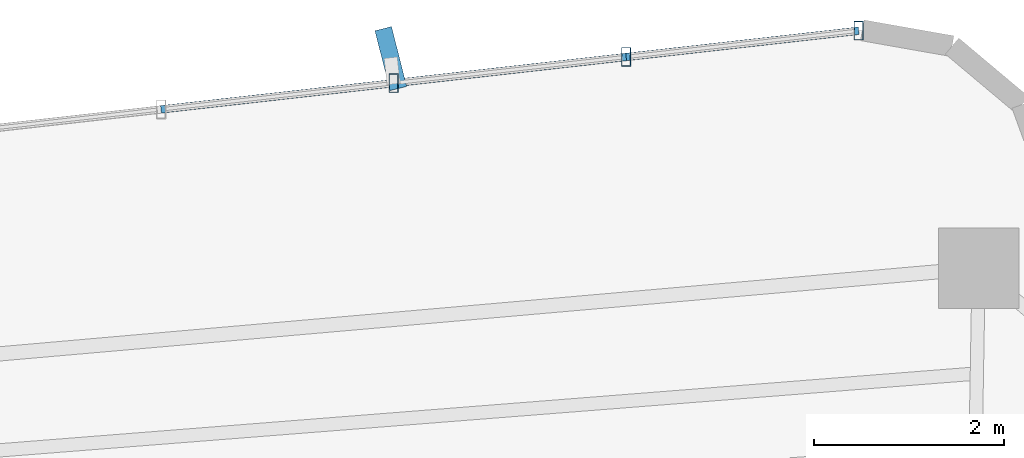
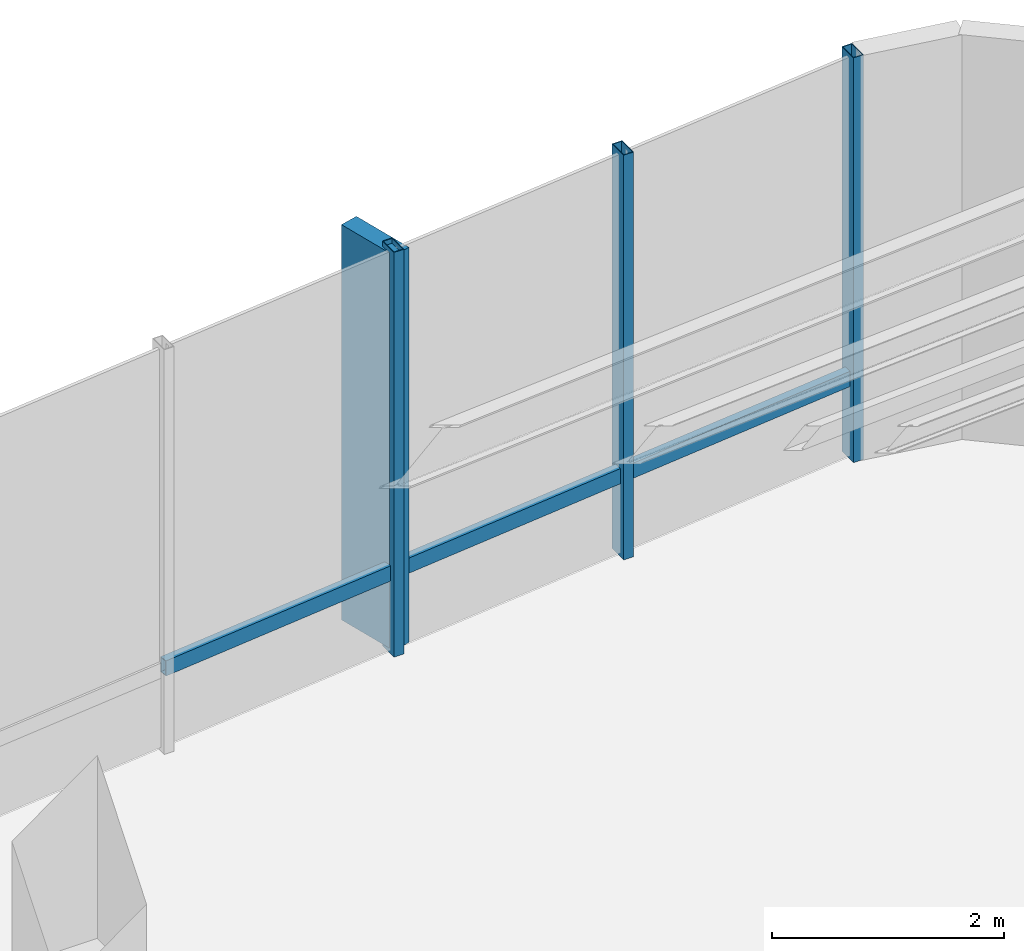
# One storey, part 12 of 19: 7 members, 1 element without a shape of its own.
"""IFC4 building model written with IfcOpenShell, lengths in metres."""

from ifc_helpers import new_model, si_unit, direction, frame, origin, origin_2d, place, context, subcontext, project, spatial, rectangle, hollow_rectangle, extrude, source, transform, mapped, material, material_profile, profile_set, type_object, element, aggregate, save


model = new_model("IFC4")

# Units and contexts
model_context = context("Model", 3, precision=1e-05, world=origin(), true_north=direction((0.0, 1.0)))
body_context = subcontext(model_context, "Body", "Model", "MODEL_VIEW")
ifc_project = project(units=[si_unit("LENGTHUNIT", "METRE"), si_unit("AREAUNIT", "SQUARE_METRE"), si_unit("VOLUMEUNIT", "CUBIC_METRE"), si_unit("PLANEANGLEUNIT", "RADIAN"), si_unit("MASSUNIT", "GRAM", prefix="KILO")], contexts=[model_context])

# Site, building, storey
site_placement = place(None, origin())
site = spatial("IfcSite", under=ifc_project, at=site_placement, CompositionType="ELEMENT")
building_placement = place(site_placement, origin())
building = spatial("IfcBuilding", under=site, at=building_placement, Name="Sahyath Konkavel Grand Hotel", CompositionType="ELEMENT")
storey_placement = place(building_placement, frame((0.0, 0.0, 170.699951171875)))
storey = spatial("IfcBuildingStorey", under=building, at=storey_placement, Name="L47", CompositionType="ELEMENT", Elevation=170.699951171875)

# Curtain wall, members
ifc_material_1 = material(Name="Anodised Bronze Aluminium & Low-E Glazing", Category="aluminium")
curtain_wall_type = type_object("IfcCurtainWallType", Name="CW-SKYLOBBY", PredefinedType="NOTDEFINED", material=ifc_material_1)
curtain_wall_placement = place(storey_placement, origin())
curtain_wall = element("IfcCurtainWall", 1, at=curtain_wall_placement, inside=storey, type_object=curtain_wall_type, Name="L47 Unitised Curtain Wall F12", PredefinedType="NOTDEFINED")
ifc_material_2 = material(Name="Anodised Bronze Aluminium", Category="aluminium")
ifc_material_profile_1 = material_profile(ifc_material_2, hollow_rectangle(XDim=0.10009765625, YDim=0.199951171875, WallThickness=0.008056640625, at=origin_2d()), Name="RHS 200x100x8")
ifc_profile_set_1 = profile_set([ifc_material_profile_1], Name="Anodised Bronze Aluminium")
member_type_1 = type_object("IfcMemberType", Name="CW-MUL-200", PredefinedType="MULLION", material=ifc_profile_set_1)
shared_shape_1 = source(origin(), body_context, "Body", "SweptSolid", [
    extrude(hollow_rectangle(XDim=0.10009765625, YDim=0.199951171875, WallThickness=0.008056640625, at=origin_2d()), origin(), (0.0, 0.0, 1.0), 4.260009765625),
])
member_1_placement = place(storey_placement, frame((2.673828125, 20.610595703125, 0.0), z_axis=(0.0, 0.0, 1.0), x_axis=(1.0, 0.0, 0.0)))
member_1 = element("IfcMember", 2, at=member_1_placement, type_object=member_type_1, Name="L47 Curtain Wall Mullion F12-0", PredefinedType="MULLION", context=body_context, shape_type="MappedRepresentation", body=[
    mapped(shared_shape_1, transform((0.0, 0.0, 0.0), scale=1.0)),
])
member_2_placement = place(storey_placement, frame((0.227294921875, 20.334716796875, 0.0), z_axis=(0.0, 0.0, 1.0), x_axis=(1.0, 0.0, 0.0)))
member_2 = element("IfcMember", 3, at=member_2_placement, type_object=member_type_1, Name="L47 Curtain Wall Mullion F12-1", PredefinedType="MULLION", context=body_context, shape_type="MappedRepresentation", body=[
    mapped(shared_shape_1, transform((0.0, 0.0, 0.0), scale=1.0)),
])
member_3_placement = place(storey_placement, frame((-2.21923828125, 20.05908203125, 0.0), z_axis=(0.0, 0.0, 1.0), x_axis=(1.0, 0.0, 0.0)))
member_3 = element("IfcMember", 4, at=member_3_placement, type_object=member_type_1, Name="L47 Curtain Wall Mullion F12-2", PredefinedType="MULLION", context=body_context, shape_type="MappedRepresentation", body=[
    mapped(shared_shape_1, transform((0.0, 0.0, 0.0), scale=1.0)),
])
ifc_material_3 = material(Name="Warm Buff Sandstone Cladding on Concrete C50/60", Category="masonry")
ifc_material_profile_2 = material_profile(ifc_material_3, rectangle(XDim=0.179931640625, YDim=0.64990234375, at=origin_2d()), Name="FIN 180x650")
ifc_profile_set_2 = profile_set([ifc_material_profile_2], Name="Warm Buff Sandstone Cladding on Concrete C50/60")
member_type_2 = type_object("IfcMemberType", Name="FIN-SANDSTONE-650", PredefinedType="MULLION", material=ifc_profile_set_2)
shared_shape_2 = source(origin(), body_context, "Body", "SweptSolid", [
    extrude(rectangle(XDim=0.179931640625, YDim=0.64990234375, at=origin_2d()), origin(), (0.0, 0.0, 1.0), 4.159912109375),
])
member_4_placement = place(storey_placement, frame((-2.248291015625, 20.3173828125, 0.050048828125), z_axis=(0.0, 0.0, 1.0), x_axis=(0.969359662404, 0.245645771192, 0.0)))
member_4 = element("IfcMember", 5, at=member_4_placement, type_object=member_type_2, Name="L47 Sandstone Vertical Solar Fin FIN F12-2", PredefinedType="MULLION", context=body_context, shape_type="MappedRepresentation", body=[
    mapped(shared_shape_2, transform((0.0, 0.0, 0.0), scale=1.0)),
])
ifc_material_profile_3 = material_profile(ifc_material_2, hollow_rectangle(XDim=0.080078125, YDim=0.159912109375, WallThickness=0.006103515625, at=origin_2d()), Name="RHS 160x80x6")
ifc_profile_set_3 = profile_set([ifc_material_profile_3], Name="Anodised Bronze Aluminium")
member_type_3 = type_object("IfcMemberType", Name="CW-TRN-160", PredefinedType="USERDEFINED", material=ifc_profile_set_3)
shared_shape_3 = source(origin(), body_context, "Body", "SweptSolid", [
    extrude(hollow_rectangle(XDim=0.080078125, YDim=0.159912109375, WallThickness=0.006103515625, at=origin_2d()), origin(), (0.0, 0.0, 1.0), 2.462158203125),
])
member_5_placement = place(storey_placement, frame((2.673828125, 20.610595703125, 0.85009765625), z_axis=(-0.99370222711, -0.112053040279, 0.0), x_axis=(0.112053040279, -0.99370222711, 0.0)))
member_5 = element("IfcMember", 6, at=member_5_placement, type_object=member_type_3, Name="L47 Curtain Wall Transom F12-0-spandrel", ObjectType="TRANSOM", PredefinedType="USERDEFINED", context=body_context, shape_type="MappedRepresentation", body=[
    mapped(shared_shape_3, transform((0.0, 0.0, 0.0), scale=1.0)),
])
member_6_placement = place(storey_placement, frame((-2.21923828125, 20.05908203125, 0.85009765625), z_axis=(-0.99370222711, -0.112053040279, 0.0), x_axis=(0.112053040279, -0.99370222711, 0.0)))
member_6 = element("IfcMember", 7, at=member_6_placement, type_object=member_type_3, Name="L47 Curtain Wall Transom F12-2-spandrel", ObjectType="TRANSOM", PredefinedType="USERDEFINED", context=body_context, shape_type="MappedRepresentation", body=[
    mapped(shared_shape_3, transform((0.0, 0.0, 0.0), scale=1.0)),
])
shared_shape_4 = source(origin(), body_context, "Body", "SweptSolid", [
    extrude(hollow_rectangle(XDim=0.080078125, YDim=0.159912109375, WallThickness=0.006103515625, at=origin_2d()), origin(), (0.0, 0.0, 1.0), 2.4619140625),
])
member_7_placement = place(storey_placement, frame((0.227294921875, 20.334716796875, 0.85009765625), z_axis=(-0.993713263833, -0.111955121731, 0.0), x_axis=(0.111955121731, -0.993713263833, 0.0)))
member_7 = element("IfcMember", 8, at=member_7_placement, type_object=member_type_3, Name="L47 Curtain Wall Transom F12-1-spandrel", ObjectType="TRANSOM", PredefinedType="USERDEFINED", context=body_context, shape_type="MappedRepresentation", body=[
    mapped(shared_shape_4, transform((0.0, 0.0, 0.0), scale=1.0)),
])
aggregate(curtain_wall, [member_1, member_2, member_3, member_4, member_5, member_7, member_6])

save(model, "model.ifc")
